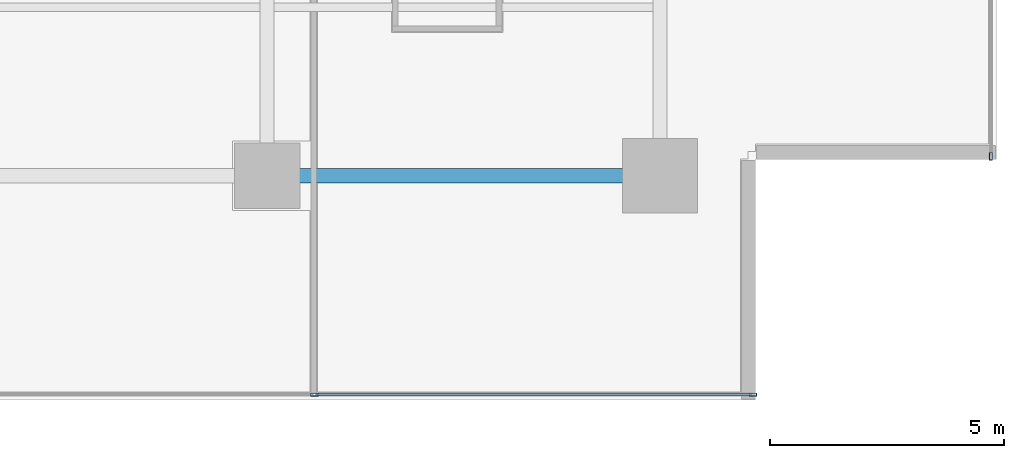
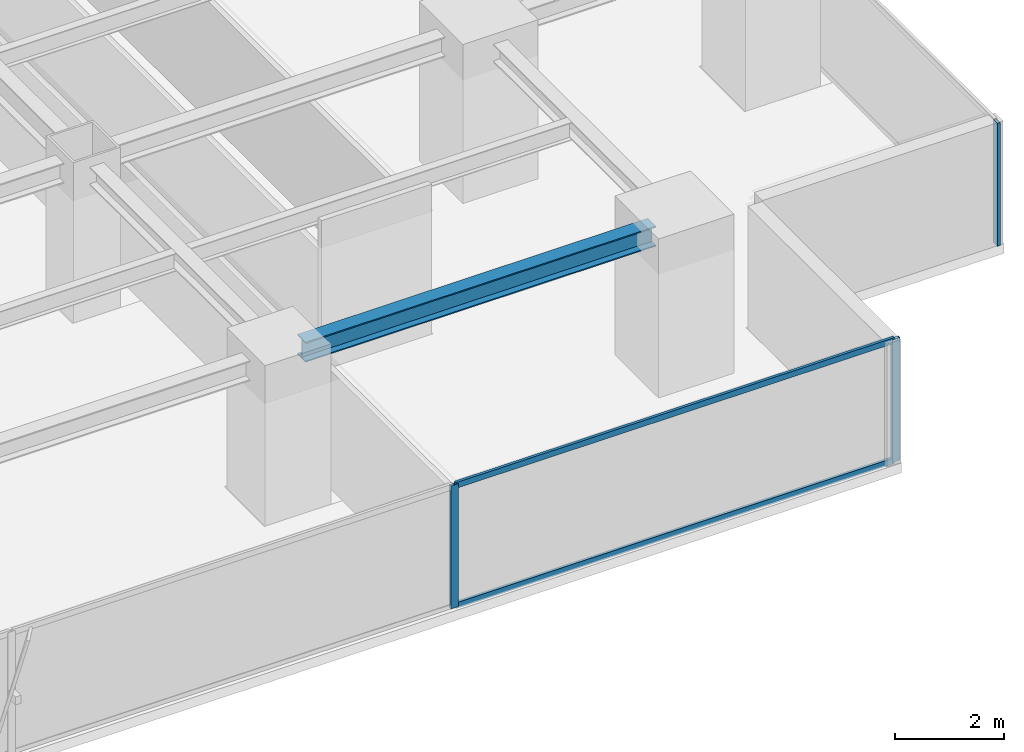
# One storey, part 9 of 27: 5 members, 1 beam, 2 elements without a shape of their own.
"""IFC4 building model written with IfcOpenShell, lengths in metres."""

from ifc_helpers import new_model, si_unit, direction, frame, origin, origin_2d, place, context, subcontext, project, spatial, hollow_rectangle, i_section, extrude, source, transform, mapped, material, layer, layer_set, material_profile, profile_set, type_object, element, aggregate, save


model = new_model("IFC4")

# Units and contexts
model_context = context("Model", 3, precision=1e-05, world=origin(), true_north=direction((0.0, 1.0)))
body_context = subcontext(model_context, "Body", "Model", "MODEL_VIEW")
ifc_project = project(units=[si_unit("LENGTHUNIT", "METRE"), si_unit("AREAUNIT", "SQUARE_METRE"), si_unit("VOLUMEUNIT", "CUBIC_METRE"), si_unit("PLANEANGLEUNIT", "RADIAN"), si_unit("MASSUNIT", "GRAM", prefix="KILO")], contexts=[model_context])

# Site, building, storey
site_placement = place(None, origin())
site = spatial("IfcSite", under=ifc_project, at=site_placement, CompositionType="ELEMENT")
building_placement = place(site_placement, origin())
building = spatial("IfcBuilding", under=site, at=building_placement, Name="Sumidabori Civic Tower", CompositionType="ELEMENT")
storey_placement = place(building_placement, frame((0.0, 0.0, 142.39990234375)))
storey = spatial("IfcBuildingStorey", under=building, at=storey_placement, Name="L36", CompositionType="ELEMENT", Elevation=142.39990234375)

# Beam
ifc_material_1 = material(Name="Steel SN490", Category="steel")
ifc_material_profile_1 = material_profile(ifc_material_1, i_section(OverallWidth=0.300048828125, OverallDepth=0.449951171875, WebThickness=0.013916015625, FlangeThickness=0.02587890625, at=origin_2d()), Name="HE 450 B")
ifc_profile_set_1 = profile_set([ifc_material_profile_1], Name="Steel SN490")
beam_type = type_object("IfcBeamType", Name="BM-GIRD-450", PredefinedType="BEAM", material=ifc_profile_set_1)
shared_shape_1 = source(origin(), body_context, "Body", "SweptSolid", [
    extrude(i_section(OverallWidth=0.300048828125, OverallDepth=0.449951171875, WebThickness=0.013916015625, FlangeThickness=0.02587890625, at=origin_2d()), origin(), (0.0, 0.0, 1.0), 7.440185546875),
])
beam_placement = place(storey_placement, frame((8.8798828125, -18.0, 3.155029296875), z_axis=(1.0, 0.0, 0.0), x_axis=(0.0, 1.0, 0.0)))
element("IfcBeam", 1, at=beam_placement, inside=storey, type_object=beam_type, Name="Primary Girder L36 GX-04", PredefinedType="BEAM", context=body_context, shape_type="MappedRepresentation", body=[
    mapped(shared_shape_1, transform((0.0, 0.0, 0.0), x_axis=(1.0, 0.0, 0.0), y_axis=(0.0, 1.0, 0.0), z_axis=(0.0, 0.0, 1.0), scale=1.0)),
])

# Curtain wall, members
ifc_material_2 = material(Name="Anodised Bronze Aluminium AW-6063-T6", Category="aluminium")
ifc_layer = layer(ifc_material_2, 0.179931640625, Name="Anodised Bronze Aluminium AW-6063-T6")
ifc_layer_set = layer_set([ifc_layer], Name="Anodised Bronze Aluminium AW-6063-T6")
curtain_wall_type = type_object("IfcCurtainWallType", Name="CW-SYS-3", PredefinedType="NOTDEFINED", material=ifc_layer_set)
curtain_wall_1_placement = place(storey_placement, origin())
curtain_wall_1 = element("IfcCurtainWall", 2, at=curtain_wall_1_placement, inside=storey, type_object=curtain_wall_type, Name="Curtain Wall CW:L36:R01", PredefinedType="NOTDEFINED")
ifc_material_profile_2 = material_profile(ifc_material_2, hollow_rectangle(XDim=0.06494140625, YDim=0.159912109375, WallThickness=0.0048828125, at=origin_2d()), Name="ALU MULLION 160x65")
ifc_profile_set_2 = profile_set([ifc_material_profile_2], Name="Anodised Bronze Aluminium AW-6063-T6")
member_type_1 = type_object("IfcMemberType", Name="CW-MUL-160", PredefinedType="MULLION", material=ifc_profile_set_2)
shared_shape_2 = source(origin(), body_context, "Body", "SweptSolid", [
    extrude(hollow_rectangle(XDim=0.06494140625, YDim=0.159912109375, WallThickness=0.0048828125, at=origin_2d()), origin(), (0.0, 0.0, 1.0), 2.760009765625),
])
member_1_placement = place(storey_placement, frame((9.409912109375, -22.679931640625, 0.0), z_axis=(0.0, 0.0, 1.0), x_axis=(0.0, 1.0, 0.0)))
member_1 = element("IfcMember", 3, at=member_1_placement, type_object=member_type_1, Name="CW-3 mullion 4", PredefinedType="MULLION", context=body_context, shape_type="MappedRepresentation", body=[
    mapped(shared_shape_2, transform((0.0, 0.0, 0.0), x_axis=(1.0, 0.0, 0.0), y_axis=(0.0, 1.0, 0.0), z_axis=(0.0, 0.0, 1.0), scale=1.0)),
])
member_2_placement = place(storey_placement, frame((18.78759765625, -22.679931640625, 0.0), z_axis=(0.0, 0.0, 1.0), x_axis=(0.0, 1.0, 0.0)))
member_2 = element("IfcMember", 4, at=member_2_placement, type_object=member_type_1, Name="CW-3 mullion 5", PredefinedType="MULLION", context=body_context, shape_type="MappedRepresentation", body=[
    mapped(shared_shape_2, transform((0.0, 0.0, 0.0), x_axis=(1.0, 0.0, 0.0), y_axis=(0.0, 1.0, 0.0), z_axis=(0.0, 0.0, 1.0), scale=1.0)),
])

# Curtain wall, member
curtain_wall_2_placement = place(storey_placement, origin())
curtain_wall_2 = element("IfcCurtainWall", 5, at=curtain_wall_2_placement, inside=storey, type_object=curtain_wall_type, Name="Curtain Wall CW:L36:R04", PredefinedType="NOTDEFINED")
member_3_placement = place(storey_placement, frame((23.8798828125, -17.58740234375, 0.0), z_axis=(0.0, 0.0, 1.0), x_axis=(-1.0, 0.0, 0.0)))
member_3 = element("IfcMember", 6, at=member_3_placement, type_object=member_type_1, Name="CW-3 mullion 1", PredefinedType="MULLION", context=body_context, shape_type="MappedRepresentation", body=[
    mapped(shared_shape_2, transform((0.0, 0.0, 0.0), x_axis=(1.0, 0.0, 0.0), y_axis=(0.0, 1.0, 0.0), z_axis=(0.0, 0.0, 1.0), scale=1.0)),
])
aggregate(curtain_wall_2, [member_3])

# Member
ifc_material_profile_3 = material_profile(ifc_material_2, hollow_rectangle(XDim=0.06005859375, YDim=0.1298828125, WallThickness=0.0048828125, at=origin_2d()), Name="ALU TRANSOM 130x60")
ifc_profile_set_3 = profile_set([ifc_material_profile_3], Name="Anodised Bronze Aluminium AW-6063-T6")
member_type_2 = type_object("IfcMemberType", Name="CW-TRN-130", PredefinedType="USERDEFINED", material=ifc_profile_set_3)
shared_shape_3 = source(origin(), body_context, "Body", "SweptSolid", [
    extrude(hollow_rectangle(XDim=0.06005859375, YDim=0.1298828125, WallThickness=0.0048828125, at=origin_2d()), origin(), (0.0, 0.0, 1.0), 9.3125),
])
member_4_placement = place(storey_placement, frame((9.4423828125, -22.679931640625, 0.030029296875), z_axis=(1.0, 0.0, 0.0), x_axis=(0.0, 1.0, 0.0)))
member_4 = element("IfcMember", 7, at=member_4_placement, type_object=member_type_2, Name="CW-3 transom 4.1", ObjectType="TRANSOM", PredefinedType="USERDEFINED", context=body_context, shape_type="MappedRepresentation", body=[
    mapped(shared_shape_3, transform((0.0, 0.0, 0.0), x_axis=(1.0, 0.0, 0.0), y_axis=(0.0, 1.0, 0.0), z_axis=(0.0, 0.0, 1.0), scale=1.0)),
])

member_5_placement = place(storey_placement, frame((9.4423828125, -22.679931640625, 2.72998046875), z_axis=(1.0, 0.0, 0.0), x_axis=(0.0, 1.0, 0.0)))
member_5 = element("IfcMember", 8, at=member_5_placement, type_object=member_type_2, Name="CW-3 transom 4.2", ObjectType="TRANSOM", PredefinedType="USERDEFINED", context=body_context, shape_type="MappedRepresentation", body=[
    mapped(shared_shape_3, transform((0.0, 0.0, 0.0), x_axis=(1.0, 0.0, 0.0), y_axis=(0.0, 1.0, 0.0), z_axis=(0.0, 0.0, 1.0), scale=1.0)),
])

aggregate(curtain_wall_1, [member_1, member_2, member_4, member_5])

save(model, "model.ifc")
